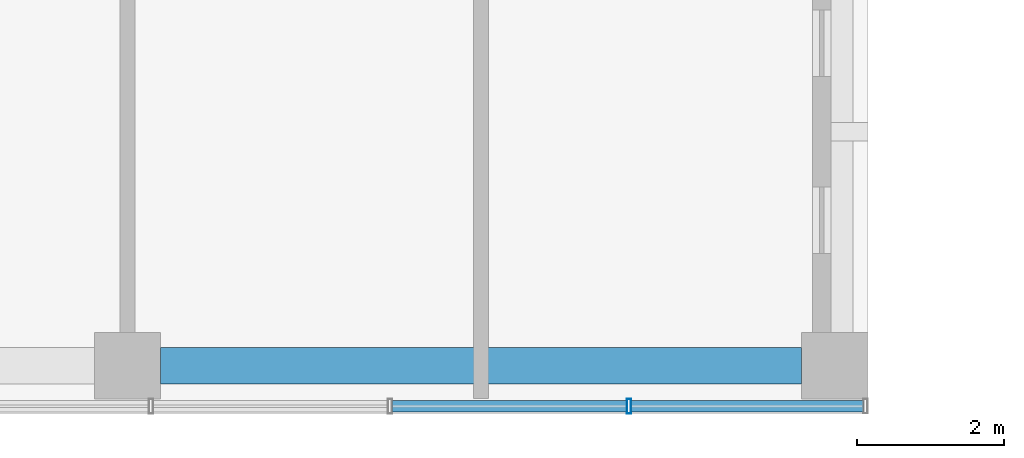
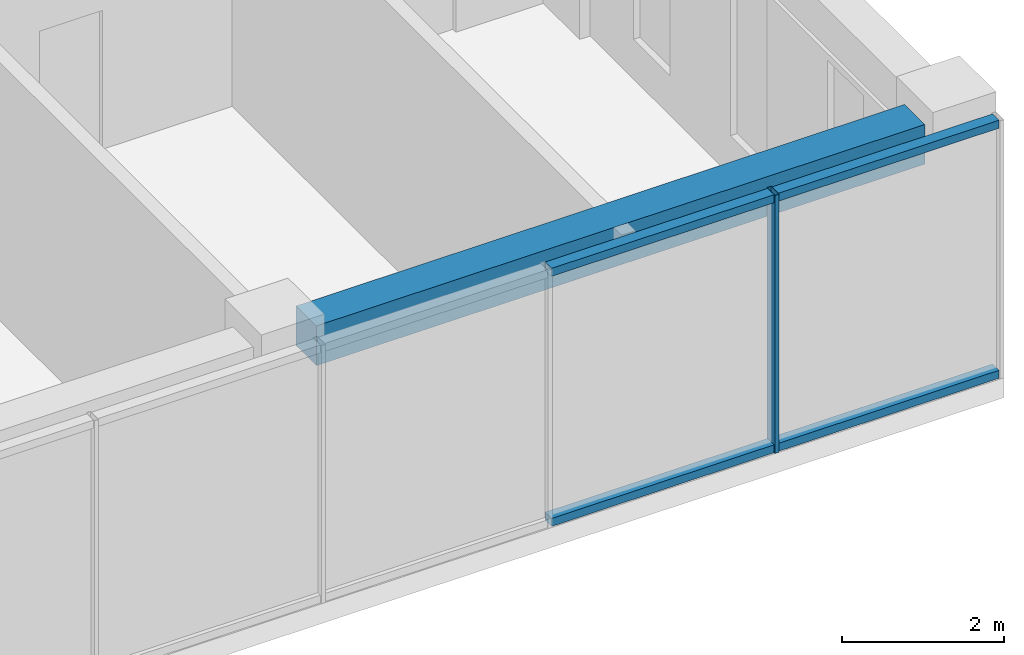
# One storey, part 12 of 37: 5 members, 1 beam, 1 element without a shape of its own.
"""IFC4 building model written with IfcOpenShell, lengths in metres."""

from ifc_helpers import new_model, si_unit, direction, frame, origin, origin_2d, place, context, subcontext, project, spatial, rectangle, hollow_rectangle, extrude, material, layer, layer_set, material_profile, profile_set, type_object, element, aggregate, save


model = new_model("IFC4")

# Units and contexts
model_context = context("Model", 3, precision=1e-05, world=origin(), true_north=direction((0.0, 1.0)))
body_context = subcontext(model_context, "Body", "Model", "MODEL_VIEW")
ifc_project = project(units=[si_unit("LENGTHUNIT", "METRE"), si_unit("AREAUNIT", "SQUARE_METRE"), si_unit("VOLUMEUNIT", "CUBIC_METRE"), si_unit("PLANEANGLEUNIT", "RADIAN"), si_unit("MASSUNIT", "GRAM", prefix="KILO")], contexts=[model_context])

# Site, building, storey
site_placement = place(None, origin())
site = spatial("IfcSite", under=ifc_project, at=site_placement, CompositionType="ELEMENT")
building_placement = place(site_placement, origin())
building = spatial("IfcBuilding", under=site, at=building_placement, Name="Nzadi Deep Aquarium and Research Tower", CompositionType="ELEMENT")
storey_placement = place(building_placement, frame((0.0, 0.0, 61.300048828125)))
storey = spatial("IfcBuildingStorey", under=building, at=storey_placement, Name="L12", CompositionType="ELEMENT", Elevation=61.300048828125)

# Curtain wall, member
ifc_material_1 = material(Name="Aluminium unitised frame", Category="aluminium")
ifc_layer = layer(ifc_material_1, 0.199951171875)
ifc_layer_set = layer_set([ifc_layer], Name="Aluminium unitised frame")
curtain_wall_type = type_object("IfcCurtainWallType", Name="Curtain wall Unitised 200", PredefinedType="NOTDEFINED", material=ifc_layer_set)
curtain_wall_placement = place(storey_placement, origin())
curtain_wall = element("IfcCurtainWall", 1, at=curtain_wall_placement, inside=storey, type_object=curtain_wall_type, Name="Unitised curtain wall blade A south L12", PredefinedType="NOTDEFINED")
ifc_material_2 = material(Name="Aluminium unitised frame", Category="aluminium")
ifc_material_profile_1 = material_profile(ifc_material_2, hollow_rectangle(XDim=0.199951171875, YDim=0.06005859375, WallThickness=0.0048828125, at=origin_2d()))
ifc_profile_set_1 = profile_set([ifc_material_profile_1], Name="Aluminium unitised frame")
member_type_1 = type_object("IfcMemberType", Name="Mullion 60x200 Unitised", PredefinedType="MULLION", material=ifc_profile_set_1)
member_1_placement = place(storey_placement, frame((45.206787109375, -0.10009765625, 0.0), z_axis=(0.0, 0.0, 1.0), x_axis=(0.0, 1.0, 0.0)))
member_1 = element("IfcMember", 2, at=member_1_placement, type_object=member_type_1, Name="CW050 mullion 15", PredefinedType="MULLION", context=body_context, shape_type="SweptSolid", body=[
    extrude(hollow_rectangle(XDim=0.199951171875, YDim=0.06005859375, WallThickness=0.0048828125, at=origin_2d()), origin(), (0.0, 0.0, 1.0), 3.89990234375),
])

# Beam
ifc_material_3 = material(Name="Concrete C35/45", Category="concrete")
ifc_material_profile_2 = material_profile(ifc_material_3, rectangle(XDim=0.5, YDim=0.60009765625, at=origin_2d()))
ifc_profile_set_2 = profile_set([ifc_material_profile_2], Name="Concrete C35/45")
beam_type = type_object("IfcBeamType", Name="RC 500x600", PredefinedType="BEAM", material=ifc_profile_set_2)
beam_placement = place(storey_placement, frame((38.85009765625, 0.449951171875, 3.599853515625), z_axis=(1.0, 0.0, 0.0), x_axis=(0.0, 1.0, 0.0)))
element("IfcBeam", 3, at=beam_placement, inside=storey, type_object=beam_type, Name="B-Z1-L12-L1-5", PredefinedType="BEAM", context=body_context, shape_type="SweptSolid", body=[
    extrude(rectangle(XDim=0.5, YDim=0.60009765625, at=origin_2d()), origin(), (0.0, 0.0, 1.0), 8.699951171875),
])

# Member
ifc_material_4 = material(Name="Aluminium unitised frame", Category="aluminium")
ifc_material_profile_3 = material_profile(ifc_material_4, hollow_rectangle(XDim=0.159912109375, YDim=0.1201171875, WallThickness=0.0048828125, at=origin_2d()))
ifc_profile_set_3 = profile_set([ifc_material_profile_3], Name="Aluminium unitised frame")
member_type_2 = type_object("IfcMemberType", Name="Transom 120x160 Unitised", PredefinedType="MULLION", material=ifc_profile_set_3)
member_2_placement = place(storey_placement, frame((41.993408203125, -0.10009765625, 0.06005859375), z_axis=(1.0, 0.0, 0.0), x_axis=(0.0, 1.0, 0.0)))
member_2 = element("IfcMember", 4, at=member_2_placement, type_object=member_type_2, Name="CW050 transom 14.1", PredefinedType="MULLION", context=body_context, shape_type="SweptSolid", body=[
    extrude(hollow_rectangle(XDim=0.159912109375, YDim=0.1201171875, WallThickness=0.0048828125, at=origin_2d()), origin(), (0.0, 0.0, 1.0), 3.183349609375),
])

member_3_placement = place(storey_placement, frame((41.993408203125, -0.10009765625, 3.83984375), z_axis=(1.0, 0.0, 0.0), x_axis=(0.0, 1.0, 0.0)))
member_3 = element("IfcMember", 5, at=member_3_placement, type_object=member_type_2, Name="CW050 transom 14.2", PredefinedType="MULLION", context=body_context, shape_type="SweptSolid", body=[
    extrude(hollow_rectangle(XDim=0.159912109375, YDim=0.1201171875, WallThickness=0.0048828125, at=origin_2d()), origin(), (0.0, 0.0, 1.0), 3.183349609375),
])

member_4_placement = place(storey_placement, frame((45.236572265625, -0.10009765625, 0.06005859375), z_axis=(1.0, 0.0, 0.0), x_axis=(0.0, 1.0, 0.0)))
member_4 = element("IfcMember", 6, at=member_4_placement, type_object=member_type_2, Name="CW050 transom 15.1", PredefinedType="MULLION", context=body_context, shape_type="SweptSolid", body=[
    extrude(hollow_rectangle(XDim=0.159912109375, YDim=0.1201171875, WallThickness=0.0048828125, at=origin_2d()), origin(), (0.0, 0.0, 1.0), 3.1533203125),
])

member_5_placement = place(storey_placement, frame((45.236572265625, -0.10009765625, 3.83984375), z_axis=(1.0, 0.0, 0.0), x_axis=(0.0, 1.0, 0.0)))
member_5 = element("IfcMember", 7, at=member_5_placement, type_object=member_type_2, Name="CW050 transom 15.2", PredefinedType="MULLION", context=body_context, shape_type="SweptSolid", body=[
    extrude(hollow_rectangle(XDim=0.159912109375, YDim=0.1201171875, WallThickness=0.0048828125, at=origin_2d()), origin(), (0.0, 0.0, 1.0), 3.1533203125),
])

aggregate(curtain_wall, [member_1, member_2, member_3, member_4, member_5])

save(model, "model.ifc")
